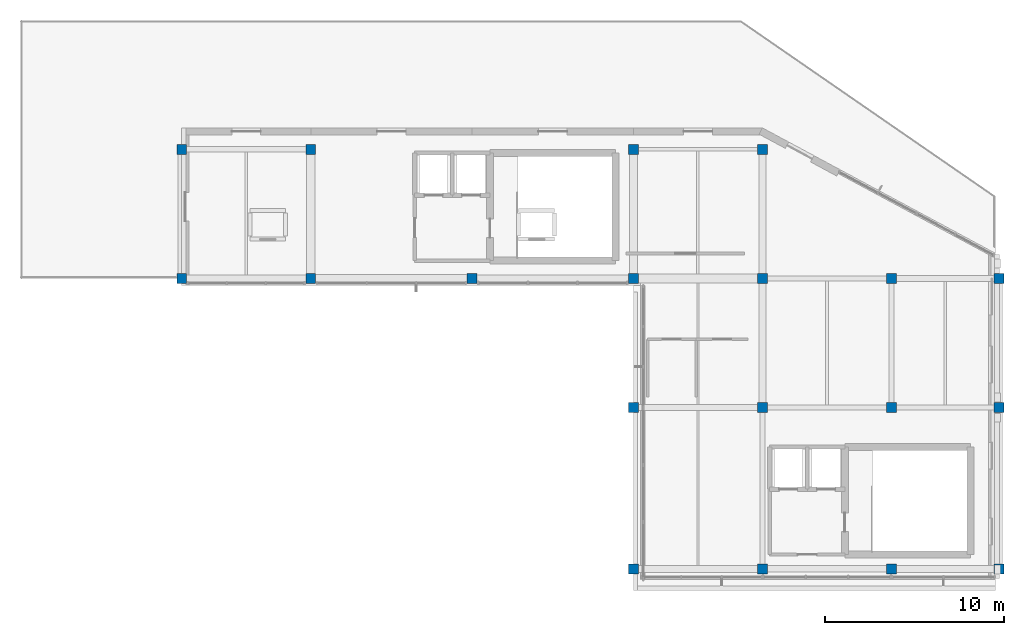
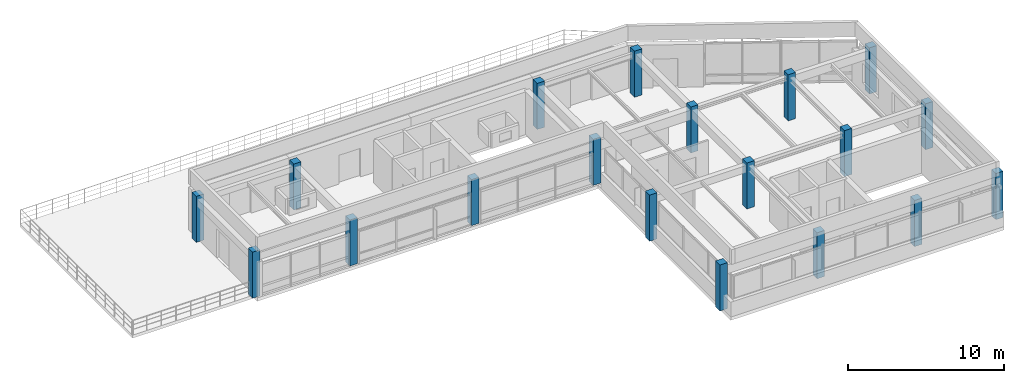
# One storey, part 1 of 10: 19 columns.
"""IFC4 building model written with IfcOpenShell, lengths in metres."""

import ifcopenshell
import ifcopenshell.guid

model = None  # the IFC model being written
_history = None  # IfcOwnerHistory: only IFC2X3 demands one
_inside = {}  # id of a spatial element -> (the spatial element, [elements in it])
_under = {}  # id of a project, library or spatial element -> (it, [spatial elements below it])
_declared = {}  # id of a project -> (the project, [libraries it declares])
_typed = {}  # id of a type object -> (the type object, [elements of that type])
_made_of = {}  # id of a material, layer set ... -> (it, [elements and type objects made of it])


def new_model(schema):
    """Start an empty IFC model of exactly this schema.

    Asked for "IFC4X3", IfcOpenShell would pick the latest addendum, in which some entities
    have other attributes; the version numbers below select the first issue.
    IFC2X3 requires an IfcOwnerHistory on every rooted entity: one is made here for all.
    """
    global model, _history
    if schema == "IFC4X3":
        model = ifcopenshell.file(schema_version=(4, 3, 0, 0))
    else:
        model = ifcopenshell.file(schema=schema)
    _inside.clear()
    _under.clear()
    _declared.clear()
    _typed.clear()
    _made_of.clear()
    _history = None
    if model.schema == "IFC2X3":
        org = make("IfcOrganization", Name="unknown")
        user = make(
            "IfcPersonAndOrganization",
            ThePerson=make("IfcPerson", FamilyName="unknown"),
            TheOrganization=org,
        )
        app = make(
            "IfcApplication",
            ApplicationDeveloper=org,
            Version="unknown",
            ApplicationFullName="unknown",
            ApplicationIdentifier="unknown",
        )
        _history = make(
            "IfcOwnerHistory",
            OwningUser=user,
            OwningApplication=app,
            ChangeAction="ADDED",
            CreationDate=0,
        )
    return model


def make(cls, **values):
    """One entity of the class cls with the attributes given. An attribute that is None is left unset."""
    return model.create_entity(
        cls, **{name: value for name, value in values.items() if value is not None}
    )


def rooted(cls, **values):
    """An entity with a GlobalId (a new one), such as an element, a storey or a relation."""
    return make(cls, GlobalId=ifcopenshell.guid.new(), OwnerHistory=_history, **values)


def si_unit(unit_type, name, prefix=None):
    """IfcSIUnit, for example si_unit("LENGTHUNIT", "METRE", prefix="MILLI")."""
    return make("IfcSIUnit", UnitType=unit_type, Prefix=prefix, Name=name)


def assignment(units):
    """IfcUnitAssignment: the units of a project."""
    return None if units is None else make("IfcUnitAssignment", Units=units)


def point(xyz):
    """IfcCartesianPoint."""
    return None if xyz is None else make("IfcCartesianPoint", Coordinates=xyz)


def direction(xyz):
    """IfcDirection."""
    return None if xyz is None else make("IfcDirection", DirectionRatios=xyz)


def frame(location, z_axis=None, x_axis=None):
    """IfcAxis2Placement3D, a coordinate frame: its origin and axes. An axis left out is left unset."""
    return make(
        "IfcAxis2Placement3D",
        Location=point(location),
        Axis=direction(z_axis),
        RefDirection=direction(x_axis),
    )


def frame_2d(location, x_axis=None):
    """IfcAxis2Placement2D, a coordinate frame in the plane: its origin and x axis."""
    return make(
        "IfcAxis2Placement2D", Location=point(location), RefDirection=direction(x_axis)
    )


def origin():
    """The frame at (0, 0, 0) with its axes left unset."""
    return frame((0.0, 0.0, 0.0))


def origin_2d():
    """The frame at (0, 0) in the plane with its x axis left unset."""
    return frame_2d((0.0, 0.0))


def place(relative_to, where):
    """IfcLocalPlacement: puts the frame where relative to a parent placement (None: the world)."""
    return make(
        "IfcLocalPlacement", PlacementRelTo=relative_to, RelativePlacement=where
    )


def context(
    kind, dimensions, precision=None, world=None, true_north=None, identifier=None
):
    """IfcGeometricRepresentationContext, for example the 3D "Model" context."""
    return make(
        "IfcGeometricRepresentationContext",
        ContextIdentifier=identifier,
        ContextType=kind,
        CoordinateSpaceDimension=dimensions,
        Precision=precision,
        WorldCoordinateSystem=world,
        TrueNorth=true_north,
    )


def subcontext(parent, identifier, kind, view, scale=None):
    """IfcGeometricRepresentationSubContext, for example "Body" below "Model"."""
    return make(
        "IfcGeometricRepresentationSubContext",
        ContextIdentifier=identifier,
        ContextType=kind,
        ParentContext=parent,
        TargetScale=scale,
        TargetView=view,
    )


def project(units=None, contexts=None):
    """IfcProject with its units and contexts."""
    return rooted(
        "IfcProject",
        Name="project",
        RepresentationContexts=contexts,
        UnitsInContext=assignment(units),
    )


def spatial(cls, under=None, at=None, **own):
    """A site, building, storey or space (cls), placed at a placement, below another one or the project."""
    s = rooted(cls, ObjectPlacement=at, **own)
    if under is not None:
        _under.setdefault(under.id(), (under, []))[1].append(s)
    return s


def profile(cls, at=None, kind="AREA", **sizes):
    """A parametric profile (cls). Its sizes go by their IFC names, for example OverallWidth=200.0."""
    return make(cls, ProfileType=kind, Position=at, **sizes)


def rectangle(**sizes):
    """IfcRectangleProfileDef."""
    return profile("IfcRectangleProfileDef", **sizes)


def extrude(swept, where, along, depth):
    """IfcExtrudedAreaSolid: the profile swept, set in the frame where, extruded along a direction by depth."""
    return make(
        "IfcExtrudedAreaSolid",
        SweptArea=swept,
        Position=where,
        ExtrudedDirection=direction(along),
        Depth=depth,
    )


def shape(context_of_items, identifier, shape_type, items):
    """IfcShapeRepresentation: the items that make up one representation, for example the "Body"."""
    return make(
        "IfcShapeRepresentation",
        ContextOfItems=context_of_items,
        RepresentationIdentifier=identifier,
        RepresentationType=shape_type,
        Items=items,
    )


def material(Name=None, Category=None):
    """IfcMaterial."""
    return make("IfcMaterial", Name=Name, Category=Category)


def material_profile(
    of_material, cross_section, Name=None, Category=None, Priority=None
):
    """IfcMaterialProfile: a cross section and its material."""
    return make(
        "IfcMaterialProfile",
        Name=Name,
        Material=of_material,
        Profile=cross_section,
        Priority=Priority,
        Category=Category,
    )


def profile_set(profiles, Name=None, composite=None):
    """IfcMaterialProfileSet."""
    return make(
        "IfcMaterialProfileSet",
        Name=Name,
        MaterialProfiles=profiles,
        CompositeProfile=composite,
    )


def made_of(thing, what):
    """Note that an element or type object is made of a material, layer set ...; save() writes the relation."""
    if what is not None:
        _made_of.setdefault(what.id(), (what, []))[1].append(thing)
    return thing


def type_object(cls, material=None, **own):
    """A type object (cls), such as IfcWallType, which elements share."""
    return made_of(rooted(cls, **own), material)


def element(
    cls,
    number,
    at=None,
    inside=None,
    cuts=None,
    type_object=None,
    material=None,
    context=None,
    identifier="Body",
    shape_type=None,
    held_by="IfcProductDefinitionShape",
    body=None,
    shapes=None,
    **own,
):
    """One element of the class cls, such as IfcWall. Its Tag is "e" and its number.

    at: its placement. inside: the storey or other place that contains it. cuts: it is an
    opening in that element (IfcRelVoidsElement). A single representation is given by context,
    identifier, shape_type and body (its items); several are given by shapes. held_by: the class
    of the entity that holds the representations. save() writes the other relations.
    """
    e = rooted(cls, Tag="e%d" % number, ObjectPlacement=at, **own)
    if body is not None:
        shapes = [shape(context, identifier, shape_type, body)]
    if shapes is not None:
        e.Representation = make(held_by, Representations=shapes)
    if inside is not None:
        _inside.setdefault(inside.id(), (inside, []))[1].append(e)
    if cuts is not None:
        rooted(
            "IfcRelVoidsElement", RelatingBuildingElement=cuts, RelatedOpeningElement=e
        )
    if type_object is not None:
        _typed.setdefault(type_object.id(), (type_object, []))[1].append(e)
    return made_of(e, material)


def aggregate(whole, parts):
    """IfcRelAggregates: a whole, such as a stair, and the parts it consists of."""
    return rooted("IfcRelAggregates", RelatingObject=whole, RelatedObjects=parts)


def save(model, path):
    """Write the relations noted so far, then the file.

    IfcRelAggregates (storeys below a building ...), IfcRelContainedInSpatialStructure (elements
    in a storey), IfcRelDefinesByType, IfcRelAssociatesMaterial and IfcRelDeclares: one each for
    every whole, place, type object, material and project.
    """
    for whole, parts in _under.values():
        aggregate(whole, parts)
    for where, things in _inside.values():
        rooted(
            "IfcRelContainedInSpatialStructure",
            RelatedElements=things,
            RelatingStructure=where,
        )
    for kind, things in _typed.values():
        rooted("IfcRelDefinesByType", RelatedObjects=things, RelatingType=kind)
    for what, things in _made_of.values():
        rooted("IfcRelAssociatesMaterial", RelatedObjects=things, RelatingMaterial=what)
    for by, libraries in _declared.values():
        rooted("IfcRelDeclares", RelatingContext=by, RelatedDefinitions=libraries)
    model.write(path)


model = new_model("IFC4")

# Units and contexts
model_context = context("Model", 3, precision=1e-05, world=origin(), true_north=direction((0.0, 1.0)))
body_context = subcontext(model_context, "Body", "Model", "MODEL_VIEW")
ifc_project = project(units=[si_unit("LENGTHUNIT", "METRE"), si_unit("AREAUNIT", "SQUARE_METRE"), si_unit("VOLUMEUNIT", "CUBIC_METRE"), si_unit("PLANEANGLEUNIT", "RADIAN"), si_unit("MASSUNIT", "GRAM", prefix="KILO")], contexts=[model_context])

# Site, building, storey
site_placement = place(None, origin())
site = spatial("IfcSite", under=ifc_project, at=site_placement, CompositionType="ELEMENT")
building_placement = place(site_placement, origin())
building = spatial("IfcBuilding", under=site, at=building_placement, Name="Clarverna Civic Hall", CompositionType="ELEMENT")
storey_placement = place(building_placement, frame((0.0, 0.0, 27.60009765625)))
storey = spatial("IfcBuildingStorey", under=building, at=storey_placement, Name="L07", CompositionType="ELEMENT", Elevation=27.60009765625)

# Columns
ifc_material = material(Name="Concrete C35/45", Category="concrete")
ifc_material_profile = material_profile(ifc_material, rectangle(XDim=0.550048828125, YDim=0.550048828125, at=origin_2d()), Name="RC 550x550")
ifc_profile_set = profile_set([ifc_material_profile], Name="Concrete C35/45")
column_type = type_object("IfcColumnType", Name="C-RC11", PredefinedType="COLUMN", material=ifc_profile_set)
for number, where, z_axis, x_axis, name in (
    (1, (122.39990234375, 95.0, 0.0), (0.0, 0.0, 1.0), (1.0, 0.0, 0.0), "C-RC11-042"),
    (2, (122.39990234375, 102.199951171875, 0.0), (0.0, 0.0, 1.0), (1.0, 0.0, 0.0), "C-RC11-043"),
    (3, (129.60009765625, 95.0, 0.0), (0.0, 0.0, 1.0), (1.0, 0.0, 0.0), "C-RC11-044"),
    (4, (129.60009765625, 102.199951171875, 0.0), (0.0, 0.0, 1.0), (1.0, 0.0, 0.0), "C-RC11-045"),
    (5, (138.60009765625, 95.0, 0.0), (0.0, 0.0, 1.0), (1.0, 0.0, 0.0), "C-RC11-046"),
    (6, (147.60009765625, 78.800048828125, 0.0), (0.0, 0.0, 1.0), (1.0, 0.0, 0.0), "C-RC11-048"),
    (7, (147.60009765625, 87.800048828125, 0.0), (0.0, 0.0, 1.0), (1.0, 0.0, 0.0), "C-RC11-049"),
    (8, (147.60009765625, 95.0, 0.0), (0.0, 0.0, 1.0), (1.0, 0.0, 0.0), "C-RC11-050"),
    (9, (147.60009765625, 102.199951171875, 0.0), (0.0, 0.0, 1.0), (1.0, 0.0, 0.0), "C-RC11-051"),
    (10, (154.800048828125, 78.800048828125, 0.0), (0.0, 0.0, 1.0), (1.0, 0.0, 0.0), "C-RC11-053"),
    (11, (154.800048828125, 87.800048828125, 0.0), (0.0, 0.0, 1.0), (1.0, 0.0, 0.0), "C-RC11-054"),
    (12, (154.800048828125, 95.0, 0.0), (0.0, 0.0, 1.0), (1.0, 0.0, 0.0), "C-RC11-055"),
    (13, (154.800048828125, 102.199951171875, 0.0), (0.0, 0.0, 1.0), (1.0, 0.0, 0.0), "C-RC11-056"),
    (14, (162.0, 78.800048828125, 0.0), (0.0, 0.0, 1.0), (1.0, 0.0, 0.0), "C-RC11-058"),
    (15, (162.0, 87.800048828125, 0.0), (0.0, 0.0, 1.0), (1.0, 0.0, 0.0), "C-RC11-059"),
    (16, (162.0, 95.0, 0.0), (0.0, 0.0, 1.0), (1.0, 0.0, 0.0), "C-RC11-060"),
    (17, (168.0, 78.800048828125, 0.0), (0.0, 0.0, 1.0), (1.0, 0.0, 0.0), "C-RC11-061"),
    (18, (168.0, 87.800048828125, 0.0), (0.0, 0.0, 1.0), (1.0, 0.0, 0.0), "C-RC11-062"),
    (19, (168.0, 95.0, 0.0), (0.0, 0.0, 1.0), (1.0, 0.0, 0.0), "C-RC11-063"),
):
    element("IfcColumn", number, at=place(storey_placement, frame(where, z_axis=z_axis, x_axis=x_axis)), inside=storey, type_object=column_type, Name=name, PredefinedType="COLUMN", context=body_context, shape_type="SweptSolid", body=[
        extrude(rectangle(XDim=0.550048828125, YDim=0.550048828125, at=origin_2d()), origin(), (0.0, 0.0, 1.0), 3.599853515625),
    ])

save(model, "model.ifc")
